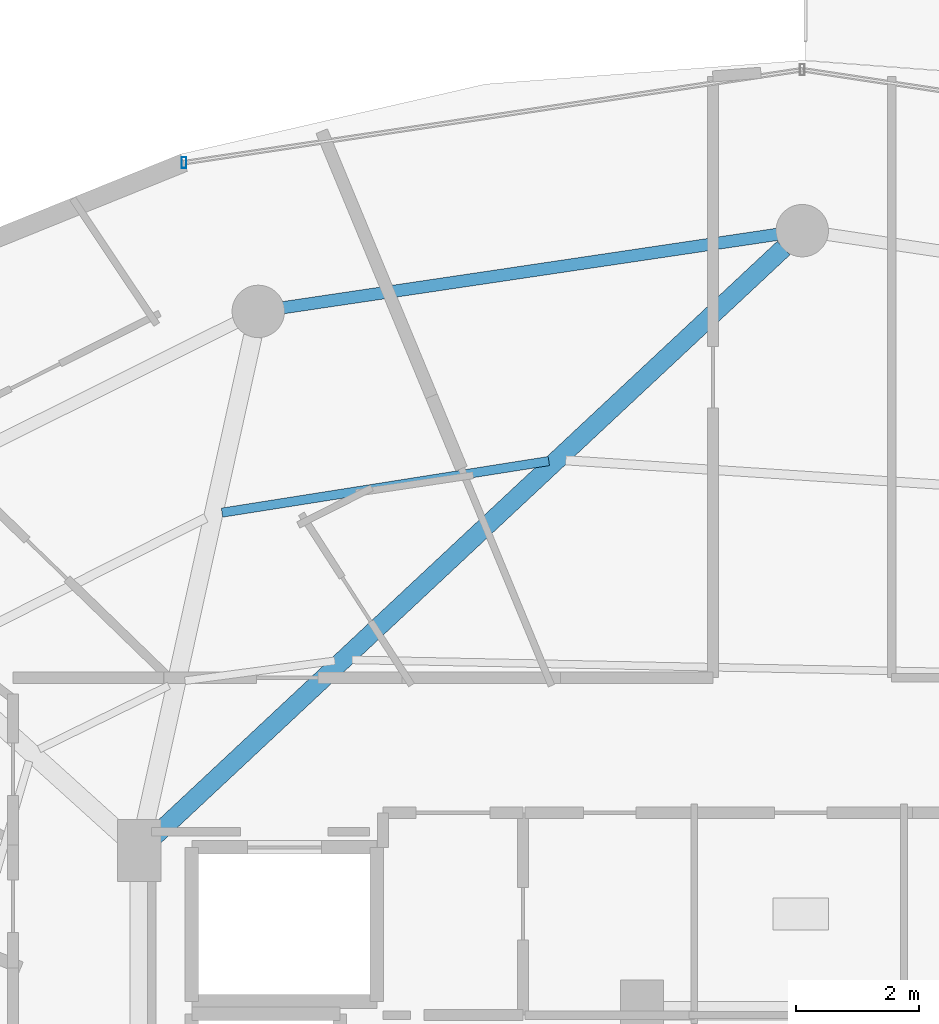
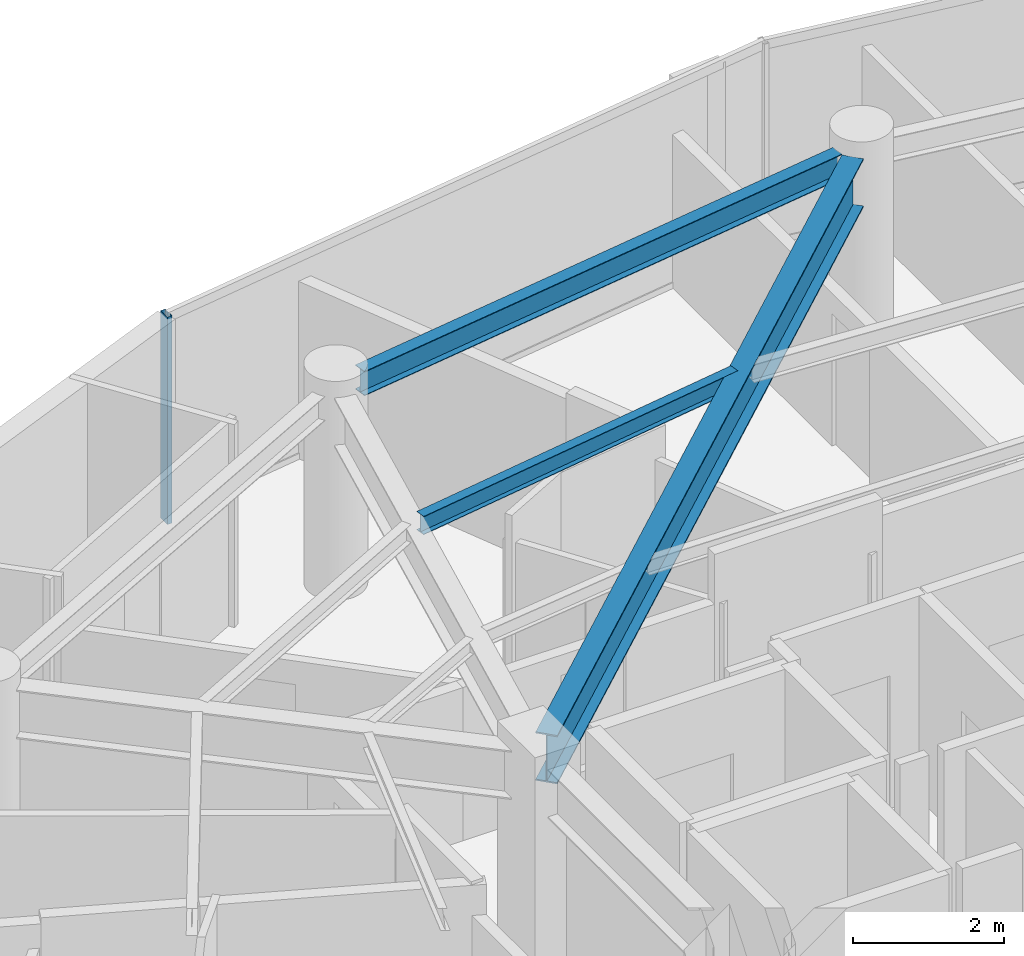
# One storey, part 17 of 30: 3 beams, 1 member, 1 element without a shape of its own.
"""IFC4 building model written with IfcOpenShell, lengths in metres."""

from ifc_helpers import new_model, si_unit, direction, frame, origin, origin_2d, place, context, subcontext, project, spatial, hollow_rectangle, i_section, extrude, material, material_profile, profile_set, type_object, element, aggregate, save


model = new_model("IFC4")

# Units and contexts
model_context = context("Model", 3, precision=1e-05, world=origin(), true_north=direction((0.0, 1.0)))
body_context = subcontext(model_context, "Body", "Model", "MODEL_VIEW")
ifc_project = project(units=[si_unit("LENGTHUNIT", "METRE"), si_unit("AREAUNIT", "SQUARE_METRE"), si_unit("VOLUMEUNIT", "CUBIC_METRE"), si_unit("PLANEANGLEUNIT", "RADIAN"), si_unit("MASSUNIT", "GRAM", prefix="KILO")], contexts=[model_context])

# Site, building, storey
site_placement = place(None, origin())
site = spatial("IfcSite", under=ifc_project, at=site_placement, CompositionType="ELEMENT")
building_placement = place(site_placement, origin())
building = spatial("IfcBuilding", under=site, at=building_placement, Name="Vorneva Point Tower", CompositionType="ELEMENT")
storey_placement = place(building_placement, frame((0.0, 0.0, 252.0)))
storey = spatial("IfcBuildingStorey", under=building, at=storey_placement, Name="L68", CompositionType="ELEMENT", Elevation=252.0)

# Beams
ifc_material_1 = material(Name="Steel S355", Category="steel")
ifc_material_profile_1 = material_profile(ifc_material_1, i_section(OverallWidth=0.300048828125, OverallDepth=0.7880859375, WebThickness=0.014404296875, FlangeThickness=0.02197265625, at=origin_2d()), Name="80Sh1")
ifc_profile_set_1 = profile_set([ifc_material_profile_1], Name="Steel S355")
beam_type_1 = type_object("IfcBeamType", Name="BM-GRD-80Sh1", PredefinedType="USERDEFINED", material=ifc_profile_set_1)
beam_1_placement = place(storey_placement, frame((37.6982421875, 42.91796875, 2.89599609375), z_axis=(-0.730485790946, -0.682927894602, 0.0), x_axis=(0.682927894602, -0.730485790946, 0.0)))
element("IfcBeam", 1, at=beam_1_placement, inside=storey, type_object=beam_type_1, Name="L68 Radial Primary Girder 05", ObjectType="GIRDER", PredefinedType="USERDEFINED", context=body_context, shape_type="SweptSolid", body=[
    extrude(i_section(OverallWidth=0.300048828125, OverallDepth=0.7880859375, WebThickness=0.014404296875, FlangeThickness=0.02197265625, at=origin_2d()), origin(), (0.0, 0.0, 1.0), 13.963134765625),
])
ifc_material_profile_2 = material_profile(ifc_material_1, i_section(OverallWidth=0.14892578125, OverallDepth=0.298095703125, WebThickness=0.005615234375, FlangeThickness=0.008056640625, at=origin_2d()), Name="30B1")
ifc_profile_set_2 = profile_set([ifc_material_profile_2], Name="Steel S355")
beam_type_2 = type_object("IfcBeamType", Name="BM-JST-30B1", PredefinedType="JOIST", material=ifc_profile_set_2)
beam_2_placement = place(storey_placement, frame((33.889892578125, 39.463623046875, 3.14111328125), z_axis=(-0.987765916795, -0.15594387971, 0.0), x_axis=(0.15594387971, -0.987765916795, 0.0)))
element("IfcBeam", 2, at=beam_2_placement, inside=storey, type_object=beam_type_2, Name="L68 Secondary Floor Beam 1.05", PredefinedType="JOIST", context=body_context, shape_type="SweptSolid", body=[
    extrude(i_section(OverallWidth=0.14892578125, OverallDepth=0.298095703125, WebThickness=0.005615234375, FlangeThickness=0.008056640625, at=origin_2d()), origin(), (0.0, 0.0, 1.0), 5.365234375),
])
ifc_material_profile_3 = material_profile(ifc_material_1, i_section(OverallWidth=0.198974609375, OverallDepth=0.39599609375, WebThickness=0.007080078125, FlangeThickness=0.010986328125, at=origin_2d()), Name="40B1")
ifc_profile_set_3 = profile_set([ifc_material_profile_3], Name="Steel S355")
beam_type_3 = type_object("IfcBeamType", Name="BM-SPN-40B1", PredefinedType="SPANDREL", material=ifc_profile_set_3)
beam_3_placement = place(storey_placement, frame((37.594482421875, 43.139892578125, 3.092041015625), z_axis=(-0.989161657331, -0.146830567886, 0.0), x_axis=(0.146830567886, -0.989161657331, 0.0)))
element("IfcBeam", 3, at=beam_3_placement, inside=storey, type_object=beam_type_3, Name="L68 Perimeter Spandrel Ring Beam 05", PredefinedType="SPANDREL", context=body_context, shape_type="SweptSolid", body=[
    extrude(i_section(OverallWidth=0.198974609375, OverallDepth=0.39599609375, WebThickness=0.007080078125, FlangeThickness=0.010986328125, at=origin_2d()), origin(), (0.0, 0.0, 1.0), 8.097412109375),
])

# Curtain wall, member
ifc_material_2 = material(Name="Pale anodised aluminium", Category="aluminium")
curtain_wall_type = type_object("IfcCurtainWallType", Name="CW-RES-SYS", PredefinedType="NOTDEFINED", material=ifc_material_2)
curtain_wall_placement = place(storey_placement, origin())
curtain_wall = element("IfcCurtainWall", 4, at=curtain_wall_placement, inside=storey, type_object=curtain_wall_type, Name="L68 Unitised Curtain Wall CW-L68-R02", PredefinedType="NOTDEFINED")
ifc_material_profile_4 = material_profile(ifc_material_2, hollow_rectangle(XDim=0.074951171875, YDim=0.179931640625, WallThickness=0.00390625, at=origin_2d()), Name="AL-MUL 180x75x4")
ifc_profile_set_4 = profile_set([ifc_material_profile_4], Name="Pale anodised aluminium")
member_type = type_object("IfcMemberType", Name="CW-MUL-180", PredefinedType="MULLION", material=ifc_profile_set_4)
member_placement = place(storey_placement, frame((27.9736328125, 44.302001953125, -0.0400390625), z_axis=(0.0, 0.0, 1.0), x_axis=(1.0, 0.0, 0.0)))
member = element("IfcMember", 5, at=member_placement, type_object=member_type, Name="CW-L68-R02 Mullion 04", PredefinedType="MULLION", context=body_context, shape_type="SweptSolid", body=[
    extrude(hollow_rectangle(XDim=0.074951171875, YDim=0.179931640625, WallThickness=0.00390625, at=origin_2d()), origin(), (0.0, 0.0, 1.0), 3.360107421875),
])
aggregate(curtain_wall, [member])

save(model, "model.ifc")
